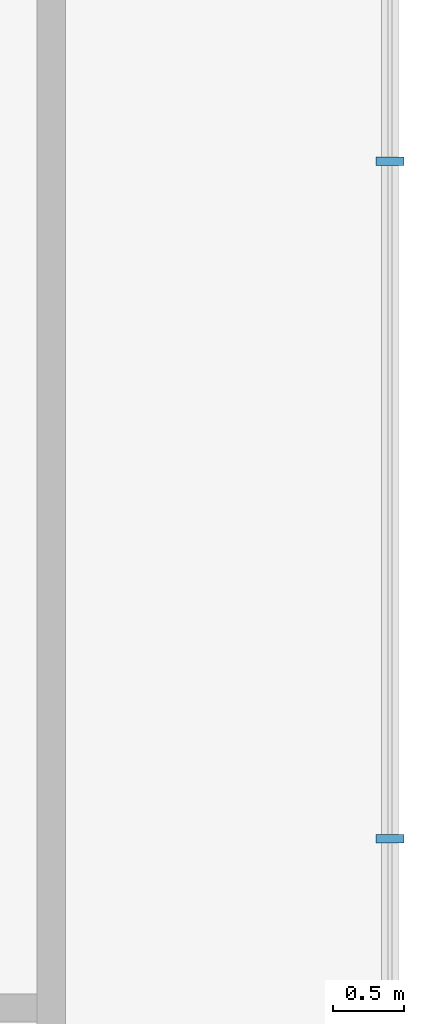
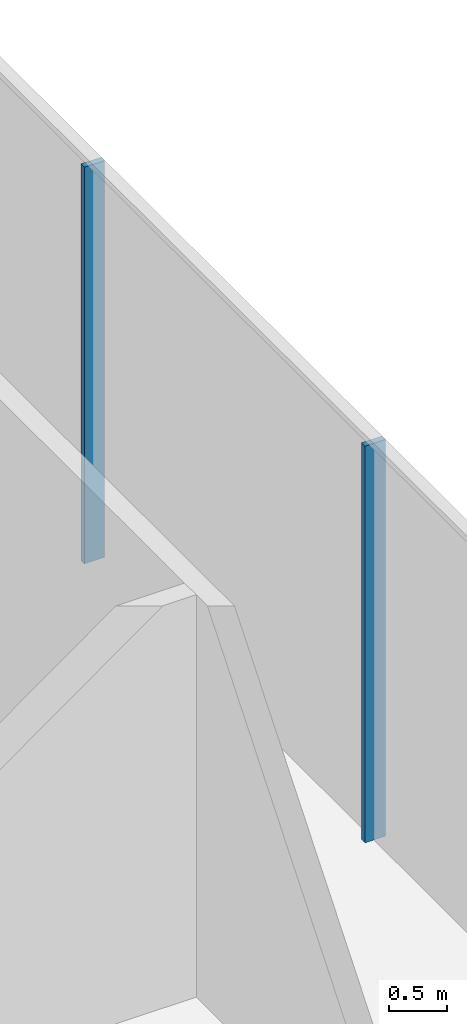
# One storey, part 14 of 38: 2 members, 1 element without a shape of its own.
"""IFC4 building model written with IfcOpenShell, lengths in metres."""

from ifc_helpers import new_model, si_unit, direction, frame, origin, origin_2d, place, context, subcontext, project, spatial, rectangle, extrude, material, layer, layer_set, material_profile, profile_set, type_object, element, aggregate, save


model = new_model("IFC4")

# Units and contexts
model_context = context("Model", 3, precision=1e-05, world=origin(), true_north=direction((0.0, 1.0)))
body_context = subcontext(model_context, "Body", "Model", "MODEL_VIEW")
ifc_project = project(units=[si_unit("LENGTHUNIT", "METRE"), si_unit("AREAUNIT", "SQUARE_METRE"), si_unit("VOLUMEUNIT", "CUBIC_METRE"), si_unit("PLANEANGLEUNIT", "RADIAN"), si_unit("MASSUNIT", "GRAM", prefix="KILO")], contexts=[model_context])

# Site, building, storey
site_placement = place(None, origin())
site = spatial("IfcSite", under=ifc_project, at=site_placement, CompositionType="ELEMENT")
building_placement = place(site_placement, origin())
building = spatial("IfcBuilding", under=site, at=building_placement, Name="Madar Terraces", CompositionType="ELEMENT")
storey_placement = place(building_placement, frame((0.0, 0.0, 15.0)))
storey = spatial("IfcBuildingStorey", under=building, at=storey_placement, Name="L03", CompositionType="ELEMENT", Elevation=15.0)

# Curtain wall, members
ifc_material_1 = material(Name="Glass, clear low-iron, with black aluminium frame", Category="aluminium")
ifc_layer = layer(ifc_material_1, 0.199951171875)
ifc_layer_set = layer_set([ifc_layer], Name="Facade curtain wall, shopfront glazing")
curtain_wall_type = type_object("IfcCurtainWallType", Name="Facade curtain wall, shopfront glazing", PredefinedType="NOTDEFINED", material=ifc_layer_set)
curtain_wall_placement = place(storey_placement, origin())
curtain_wall = element("IfcCurtainWall", 1, at=curtain_wall_placement, inside=storey, type_object=curtain_wall_type, Name="Outer skin curtain wall east bay 1", PredefinedType="NOTDEFINED")
ifc_material_2 = material(Name="Aluminium, black anodised", Category="aluminium")
ifc_material_profile = material_profile(ifc_material_2, rectangle(XDim=0.199951171875, YDim=0.06005859375, at=origin_2d()), Name="Facade mullion 60x200")
ifc_profile_set = profile_set([ifc_material_profile], Name="Aluminium, black anodised")
member_type = type_object("IfcMemberType", Name="Facade mullion 60x200", PredefinedType="MULLION", material=ifc_profile_set)
member_1_placement = place(storey_placement, frame((69.60009765625, 24.0, 0.0), z_axis=(0.0, 0.0, 1.0), x_axis=(-1.0, 0.0, 0.0)))
member_1 = element("IfcMember", 2, at=member_1_placement, type_object=member_type, Name="Mullion 5", PredefinedType="MULLION", context=body_context, shape_type="SweptSolid", body=[
    extrude(rectangle(XDim=0.199951171875, YDim=0.06005859375, at=origin_2d()), origin(), (0.0, 0.0, 1.0), 4.139892578125),
])
member_2_placement = place(storey_placement, frame((69.60009765625, 28.800048828125, 0.0), z_axis=(0.0, 0.0, 1.0), x_axis=(-1.0, 0.0, 0.0)))
member_2 = element("IfcMember", 3, at=member_2_placement, type_object=member_type, Name="Mullion 6", PredefinedType="MULLION", context=body_context, shape_type="SweptSolid", body=[
    extrude(rectangle(XDim=0.199951171875, YDim=0.06005859375, at=origin_2d()), origin(), (0.0, 0.0, 1.0), 4.139892578125),
])
aggregate(curtain_wall, [member_1, member_2])

save(model, "model.ifc")
